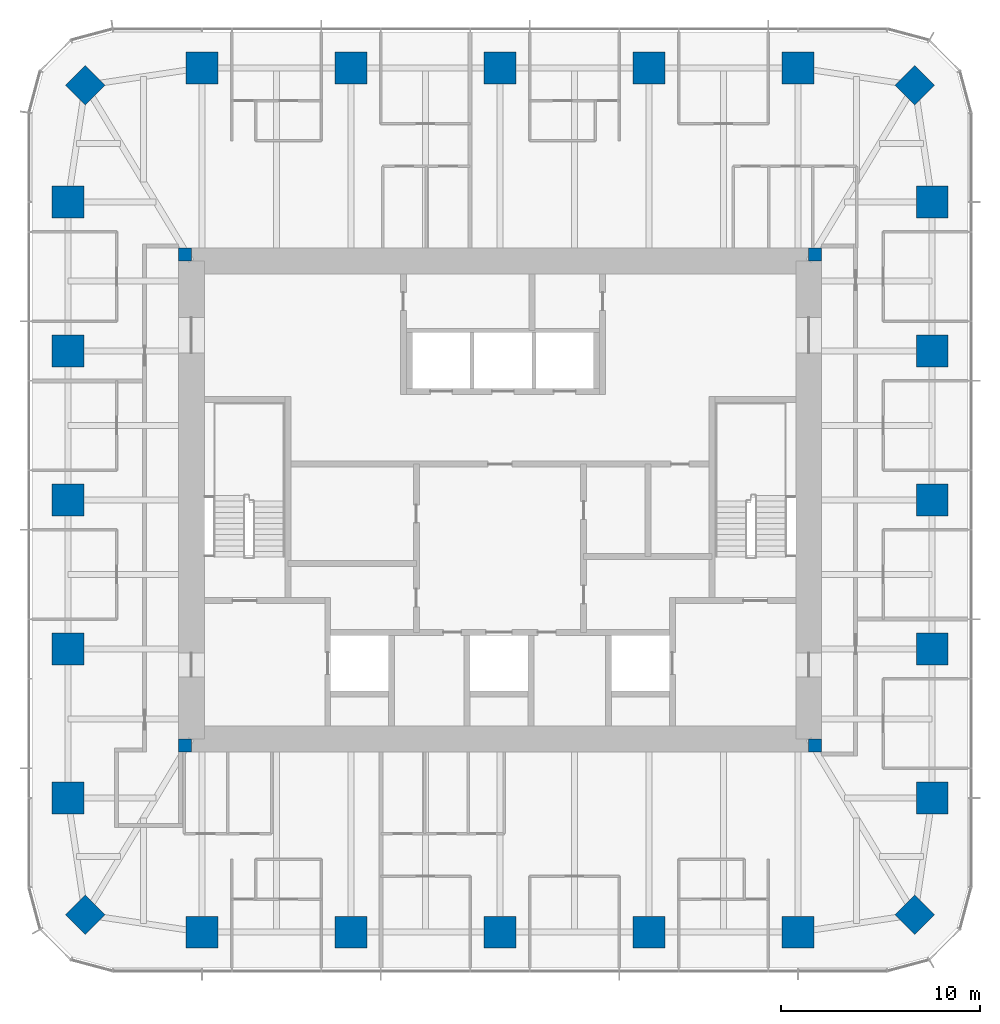
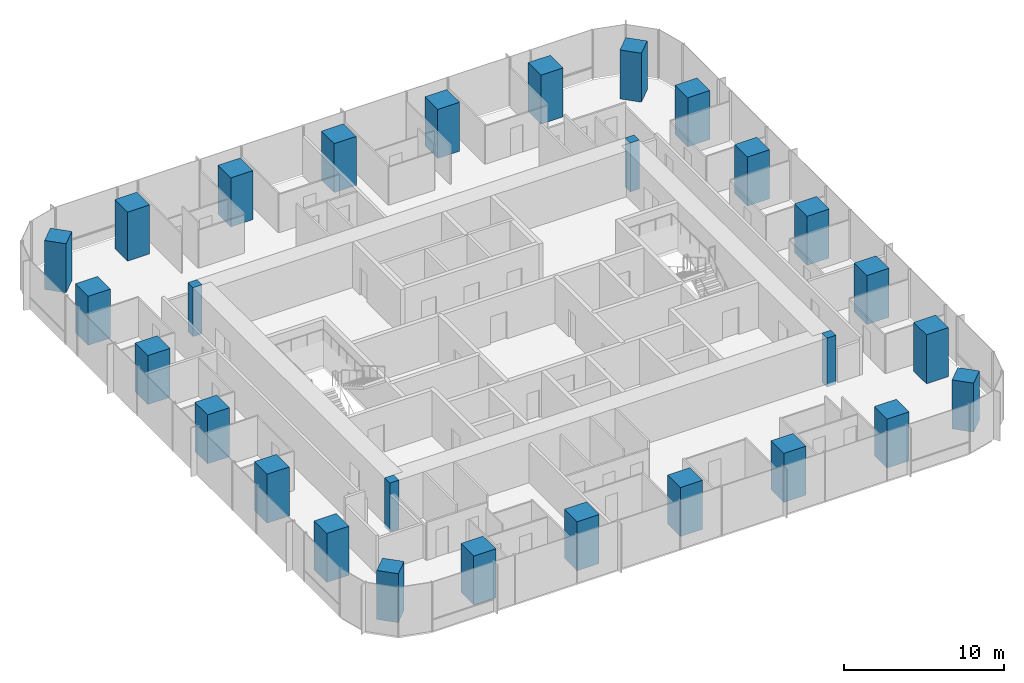
# One storey, part 1 of 12: 28 columns.
"""IFC4 building model written with IfcOpenShell, lengths in metres."""

import ifcopenshell
import ifcopenshell.guid

model = None  # the IFC model being written
_history = None  # IfcOwnerHistory: only IFC2X3 demands one
_inside = {}  # id of a spatial element -> (the spatial element, [elements in it])
_under = {}  # id of a project, library or spatial element -> (it, [spatial elements below it])
_declared = {}  # id of a project -> (the project, [libraries it declares])
_typed = {}  # id of a type object -> (the type object, [elements of that type])
_made_of = {}  # id of a material, layer set ... -> (it, [elements and type objects made of it])


def new_model(schema):
    """Start an empty IFC model of exactly this schema.

    Asked for "IFC4X3", IfcOpenShell would pick the latest addendum, in which some entities
    have other attributes; the version numbers below select the first issue.
    IFC2X3 requires an IfcOwnerHistory on every rooted entity: one is made here for all.
    """
    global model, _history
    if schema == "IFC4X3":
        model = ifcopenshell.file(schema_version=(4, 3, 0, 0))
    else:
        model = ifcopenshell.file(schema=schema)
    _inside.clear()
    _under.clear()
    _declared.clear()
    _typed.clear()
    _made_of.clear()
    _history = None
    if model.schema == "IFC2X3":
        org = make("IfcOrganization", Name="unknown")
        user = make(
            "IfcPersonAndOrganization",
            ThePerson=make("IfcPerson", FamilyName="unknown"),
            TheOrganization=org,
        )
        app = make(
            "IfcApplication",
            ApplicationDeveloper=org,
            Version="unknown",
            ApplicationFullName="unknown",
            ApplicationIdentifier="unknown",
        )
        _history = make(
            "IfcOwnerHistory",
            OwningUser=user,
            OwningApplication=app,
            ChangeAction="ADDED",
            CreationDate=0,
        )
    return model


def make(cls, **values):
    """One entity of the class cls with the attributes given. An attribute that is None is left unset."""
    return model.create_entity(
        cls, **{name: value for name, value in values.items() if value is not None}
    )


def rooted(cls, **values):
    """An entity with a GlobalId (a new one), such as an element, a storey or a relation."""
    return make(cls, GlobalId=ifcopenshell.guid.new(), OwnerHistory=_history, **values)


def si_unit(unit_type, name, prefix=None):
    """IfcSIUnit, for example si_unit("LENGTHUNIT", "METRE", prefix="MILLI")."""
    return make("IfcSIUnit", UnitType=unit_type, Prefix=prefix, Name=name)


def assignment(units):
    """IfcUnitAssignment: the units of a project."""
    return None if units is None else make("IfcUnitAssignment", Units=units)


def point(xyz):
    """IfcCartesianPoint."""
    return None if xyz is None else make("IfcCartesianPoint", Coordinates=xyz)


def direction(xyz):
    """IfcDirection."""
    return None if xyz is None else make("IfcDirection", DirectionRatios=xyz)


def frame(location, z_axis=None, x_axis=None):
    """IfcAxis2Placement3D, a coordinate frame: its origin and axes. An axis left out is left unset."""
    return make(
        "IfcAxis2Placement3D",
        Location=point(location),
        Axis=direction(z_axis),
        RefDirection=direction(x_axis),
    )


def frame_2d(location, x_axis=None):
    """IfcAxis2Placement2D, a coordinate frame in the plane: its origin and x axis."""
    return make(
        "IfcAxis2Placement2D", Location=point(location), RefDirection=direction(x_axis)
    )


def origin():
    """The frame at (0, 0, 0) with its axes left unset."""
    return frame((0.0, 0.0, 0.0))


def origin_2d():
    """The frame at (0, 0) in the plane with its x axis left unset."""
    return frame_2d((0.0, 0.0))


def place(relative_to, where):
    """IfcLocalPlacement: puts the frame where relative to a parent placement (None: the world)."""
    return make(
        "IfcLocalPlacement", PlacementRelTo=relative_to, RelativePlacement=where
    )


def context(
    kind, dimensions, precision=None, world=None, true_north=None, identifier=None
):
    """IfcGeometricRepresentationContext, for example the 3D "Model" context."""
    return make(
        "IfcGeometricRepresentationContext",
        ContextIdentifier=identifier,
        ContextType=kind,
        CoordinateSpaceDimension=dimensions,
        Precision=precision,
        WorldCoordinateSystem=world,
        TrueNorth=true_north,
    )


def subcontext(parent, identifier, kind, view, scale=None):
    """IfcGeometricRepresentationSubContext, for example "Body" below "Model"."""
    return make(
        "IfcGeometricRepresentationSubContext",
        ContextIdentifier=identifier,
        ContextType=kind,
        ParentContext=parent,
        TargetScale=scale,
        TargetView=view,
    )


def project(units=None, contexts=None):
    """IfcProject with its units and contexts."""
    return rooted(
        "IfcProject",
        Name="project",
        RepresentationContexts=contexts,
        UnitsInContext=assignment(units),
    )


def spatial(cls, under=None, at=None, **own):
    """A site, building, storey or space (cls), placed at a placement, below another one or the project."""
    s = rooted(cls, ObjectPlacement=at, **own)
    if under is not None:
        _under.setdefault(under.id(), (under, []))[1].append(s)
    return s


def profile(cls, at=None, kind="AREA", **sizes):
    """A parametric profile (cls). Its sizes go by their IFC names, for example OverallWidth=200.0."""
    return make(cls, ProfileType=kind, Position=at, **sizes)


def rectangle(**sizes):
    """IfcRectangleProfileDef."""
    return profile("IfcRectangleProfileDef", **sizes)


def extrude(swept, where, along, depth):
    """IfcExtrudedAreaSolid: the profile swept, set in the frame where, extruded along a direction by depth."""
    return make(
        "IfcExtrudedAreaSolid",
        SweptArea=swept,
        Position=where,
        ExtrudedDirection=direction(along),
        Depth=depth,
    )


def shape(context_of_items, identifier, shape_type, items):
    """IfcShapeRepresentation: the items that make up one representation, for example the "Body"."""
    return make(
        "IfcShapeRepresentation",
        ContextOfItems=context_of_items,
        RepresentationIdentifier=identifier,
        RepresentationType=shape_type,
        Items=items,
    )


def material(Name=None, Category=None):
    """IfcMaterial."""
    return make("IfcMaterial", Name=Name, Category=Category)


def material_profile(
    of_material, cross_section, Name=None, Category=None, Priority=None
):
    """IfcMaterialProfile: a cross section and its material."""
    return make(
        "IfcMaterialProfile",
        Name=Name,
        Material=of_material,
        Profile=cross_section,
        Priority=Priority,
        Category=Category,
    )


def profile_set(profiles, Name=None, composite=None):
    """IfcMaterialProfileSet."""
    return make(
        "IfcMaterialProfileSet",
        Name=Name,
        MaterialProfiles=profiles,
        CompositeProfile=composite,
    )


def made_of(thing, what):
    """Note that an element or type object is made of a material, layer set ...; save() writes the relation."""
    if what is not None:
        _made_of.setdefault(what.id(), (what, []))[1].append(thing)
    return thing


def type_object(cls, material=None, **own):
    """A type object (cls), such as IfcWallType, which elements share."""
    return made_of(rooted(cls, **own), material)


def element(
    cls,
    number,
    at=None,
    inside=None,
    cuts=None,
    type_object=None,
    material=None,
    context=None,
    identifier="Body",
    shape_type=None,
    held_by="IfcProductDefinitionShape",
    body=None,
    shapes=None,
    **own,
):
    """One element of the class cls, such as IfcWall. Its Tag is "e" and its number.

    at: its placement. inside: the storey or other place that contains it. cuts: it is an
    opening in that element (IfcRelVoidsElement). A single representation is given by context,
    identifier, shape_type and body (its items); several are given by shapes. held_by: the class
    of the entity that holds the representations. save() writes the other relations.
    """
    e = rooted(cls, Tag="e%d" % number, ObjectPlacement=at, **own)
    if body is not None:
        shapes = [shape(context, identifier, shape_type, body)]
    if shapes is not None:
        e.Representation = make(held_by, Representations=shapes)
    if inside is not None:
        _inside.setdefault(inside.id(), (inside, []))[1].append(e)
    if cuts is not None:
        rooted(
            "IfcRelVoidsElement", RelatingBuildingElement=cuts, RelatedOpeningElement=e
        )
    if type_object is not None:
        _typed.setdefault(type_object.id(), (type_object, []))[1].append(e)
    return made_of(e, material)


def aggregate(whole, parts):
    """IfcRelAggregates: a whole, such as a stair, and the parts it consists of."""
    return rooted("IfcRelAggregates", RelatingObject=whole, RelatedObjects=parts)


def save(model, path):
    """Write the relations noted so far, then the file.

    IfcRelAggregates (storeys below a building ...), IfcRelContainedInSpatialStructure (elements
    in a storey), IfcRelDefinesByType, IfcRelAssociatesMaterial and IfcRelDeclares: one each for
    every whole, place, type object, material and project.
    """
    for whole, parts in _under.values():
        aggregate(whole, parts)
    for where, things in _inside.values():
        rooted(
            "IfcRelContainedInSpatialStructure",
            RelatedElements=things,
            RelatingStructure=where,
        )
    for kind, things in _typed.values():
        rooted("IfcRelDefinesByType", RelatedObjects=things, RelatingType=kind)
    for what, things in _made_of.values():
        rooted("IfcRelAssociatesMaterial", RelatedObjects=things, RelatingMaterial=what)
    for by, libraries in _declared.values():
        rooted("IfcRelDeclares", RelatingContext=by, RelatedDefinitions=libraries)
    model.write(path)


model = new_model("IFC4")

# Units and contexts
model_context = context("Model", 3, precision=1e-05, world=origin(), true_north=direction((0.0, 1.0)))
body_context = subcontext(model_context, "Body", "Model", "MODEL_VIEW")
ifc_project = project(units=[si_unit("LENGTHUNIT", "METRE"), si_unit("AREAUNIT", "SQUARE_METRE"), si_unit("VOLUMEUNIT", "CUBIC_METRE"), si_unit("PLANEANGLEUNIT", "RADIAN"), si_unit("MASSUNIT", "GRAM", prefix="KILO")], contexts=[model_context])

# Site, building, storey
site_placement = place(None, origin())
site = spatial("IfcSite", under=ifc_project, at=site_placement, CompositionType="ELEMENT")
building_placement = place(site_placement, origin())
building = spatial("IfcBuilding", under=site, at=building_placement, Name="Khuree Lantern Residences", CompositionType="ELEMENT")
storey_placement = place(building_placement, frame((0.0, 0.0, 308.25)))
storey = spatial("IfcBuildingStorey", under=building, at=storey_placement, Name="L77", CompositionType="ELEMENT", Elevation=308.25)

# Columns
ifc_material_1 = material(Name="Concrete C70/85", Category="concrete")
ifc_material_profile_1 = material_profile(ifc_material_1, rectangle(XDim=1.39990234375, YDim=1.39990234375, at=origin_2d()), Name="RC 1400X1400")
ifc_profile_set_1 = profile_set([ifc_material_profile_1], Name="Concrete C70/85")
column_type_1 = type_object("IfcColumnType", Name="CC1400 PERIMETER CORNER COLUMN RC 1400X1400", PredefinedType="COLUMN", material=ifc_profile_set_1)
for number, where, z_axis, x_axis, name in (
    (1, (20.8212890625, 20.8212890625, 0.0), (0.0, 0.0, 1.0), (0.707106781187, -0.707106781187, 0.0), "Perimeter column NE"),
    (2, (20.8212890625, -20.8212890625, 0.0), (0.0, 0.0, 1.0), (0.707106781187, 0.707106781187, 0.0), "Perimeter column SE"),
    (3, (-20.8212890625, -20.8212890625, 0.0), (0.0, 0.0, 1.0), (0.707106781187, -0.707106781187, 0.0), "Perimeter column SW"),
    (4, (-20.8212890625, 20.8212890625, 0.0), (0.0, 0.0, 1.0), (0.707106781187, 0.707106781187, 0.0), "Perimeter column NW"),
):
    element("IfcColumn", number, at=place(storey_placement, frame(where, z_axis=z_axis, x_axis=x_axis)), inside=storey, type_object=column_type_1, Name=name, PredefinedType="COLUMN", context=body_context, shape_type="SweptSolid", body=[
        extrude(rectangle(XDim=1.39990234375, YDim=1.39990234375, at=origin_2d()), origin(), (0.0, 0.0, 1.0), 3.75),
    ])
ifc_material_2 = material(Name="Concrete C50/60", Category="concrete")
ifc_material_profile_2 = material_profile(ifc_material_2, rectangle(XDim=0.64990234375, YDim=0.64990234375, at=origin_2d()), Name="RC 650X650")
ifc_profile_set_2 = profile_set([ifc_material_profile_2], Name="Concrete C50/60")
column_type_2 = type_object("IfcColumnType", Name="CP650-C50 CORE CORNER PIER C50 RC 650X650", PredefinedType="COLUMN", material=ifc_profile_set_2)
for number, where, z_axis, x_axis, name in (
    (5, (15.824951171875, 12.324951171875, -0.25), (0.0, 0.0, 1.0), (1.0, 0.0, 0.0), "Core corner pier NE"),
    (6, (-15.824951171875, 12.324951171875, -0.25), (0.0, 0.0, 1.0), (1.0, 0.0, 0.0), "Core corner pier NW"),
    (7, (-15.824951171875, -12.324951171875, -0.25), (0.0, 0.0, 1.0), (1.0, 0.0, 0.0), "Core corner pier SW"),
    (8, (15.824951171875, -12.324951171875, -0.25), (0.0, 0.0, 1.0), (1.0, 0.0, 0.0), "Core corner pier SE"),
):
    element("IfcColumn", number, at=place(storey_placement, frame(where, z_axis=z_axis, x_axis=x_axis)), inside=storey, type_object=column_type_2, Name=name, PredefinedType="COLUMN", context=body_context, shape_type="SweptSolid", body=[
        extrude(rectangle(XDim=0.64990234375, YDim=0.64990234375, at=origin_2d()), origin(), (0.0, 0.0, 1.0), 3.75),
    ])
ifc_material_profile_3 = material_profile(ifc_material_1, rectangle(XDim=1.60009765625, YDim=1.60009765625, at=origin_2d()), Name="RC 1600X1600")
ifc_profile_set_3 = profile_set([ifc_material_profile_3], Name="Concrete C70/85")
column_type_3 = type_object("IfcColumnType", Name="PC5 PERIMETER COLUMN RC 1600X1600", PredefinedType="COLUMN", material=ifc_profile_set_3)
for number, where, z_axis, x_axis, name in (
    (9, (-14.9599609375, 21.699951171875, 0.0), (0.0, 0.0, 1.0), (1.0, 0.0, 0.0), "Perimeter column N1"),
    (10, (-7.47998046875, 21.699951171875, 0.0), (0.0, 0.0, 1.0), (1.0, 0.0, 0.0), "Perimeter column N2"),
    (11, (0.0, 21.699951171875, 0.0), (0.0, 0.0, 1.0), (1.0, 0.0, 0.0), "Perimeter column N3"),
    (12, (7.47998046875, 21.699951171875, 0.0), (0.0, 0.0, 1.0), (1.0, 0.0, 0.0), "Perimeter column N4"),
    (13, (14.9599609375, 21.699951171875, 0.0), (0.0, 0.0, 1.0), (1.0, 0.0, 0.0), "Perimeter column N5"),
    (14, (21.699951171875, 14.9599609375, 0.0), (0.0, 0.0, 1.0), (0.0, 1.0, 0.0), "Perimeter column E1"),
    (15, (21.699951171875, 7.47998046875, 0.0), (0.0, 0.0, 1.0), (0.0, 1.0, 0.0), "Perimeter column E2"),
    (16, (21.699951171875, 0.0, 0.0), (0.0, 0.0, 1.0), (0.0, 1.0, 0.0), "Perimeter column E3"),
    (17, (21.699951171875, -7.47998046875, 0.0), (0.0, 0.0, 1.0), (0.0, 1.0, 0.0), "Perimeter column E4"),
    (18, (21.699951171875, -14.9599609375, 0.0), (0.0, 0.0, 1.0), (0.0, 1.0, 0.0), "Perimeter column E5"),
    (19, (14.9599609375, -21.699951171875, 0.0), (0.0, 0.0, 1.0), (1.0, 0.0, 0.0), "Perimeter column S1"),
    (20, (7.47998046875, -21.699951171875, 0.0), (0.0, 0.0, 1.0), (1.0, 0.0, 0.0), "Perimeter column S2"),
    (21, (0.0, -21.699951171875, 0.0), (0.0, 0.0, 1.0), (1.0, 0.0, 0.0), "Perimeter column S3"),
    (22, (-7.47998046875, -21.699951171875, 0.0), (0.0, 0.0, 1.0), (1.0, 0.0, 0.0), "Perimeter column S4"),
    (23, (-14.9599609375, -21.699951171875, 0.0), (0.0, 0.0, 1.0), (1.0, 0.0, 0.0), "Perimeter column S5"),
    (24, (-21.699951171875, -14.9599609375, 0.0), (0.0, 0.0, 1.0), (0.0, 1.0, 0.0), "Perimeter column W1"),
    (25, (-21.699951171875, -7.47998046875, 0.0), (0.0, 0.0, 1.0), (0.0, 1.0, 0.0), "Perimeter column W2"),
    (26, (-21.699951171875, 0.0, 0.0), (0.0, 0.0, 1.0), (0.0, 1.0, 0.0), "Perimeter column W3"),
    (27, (-21.699951171875, 7.47998046875, 0.0), (0.0, 0.0, 1.0), (0.0, 1.0, 0.0), "Perimeter column W4"),
    (28, (-21.699951171875, 14.9599609375, 0.0), (0.0, 0.0, 1.0), (0.0, 1.0, 0.0), "Perimeter column W5"),
):
    element("IfcColumn", number, at=place(storey_placement, frame(where, z_axis=z_axis, x_axis=x_axis)), inside=storey, type_object=column_type_3, Name=name, PredefinedType="COLUMN", context=body_context, shape_type="SweptSolid", body=[
        extrude(rectangle(XDim=1.60009765625, YDim=1.60009765625, at=origin_2d()), origin(), (0.0, 0.0, 1.0), 3.75),
    ])

save(model, "model.ifc")
